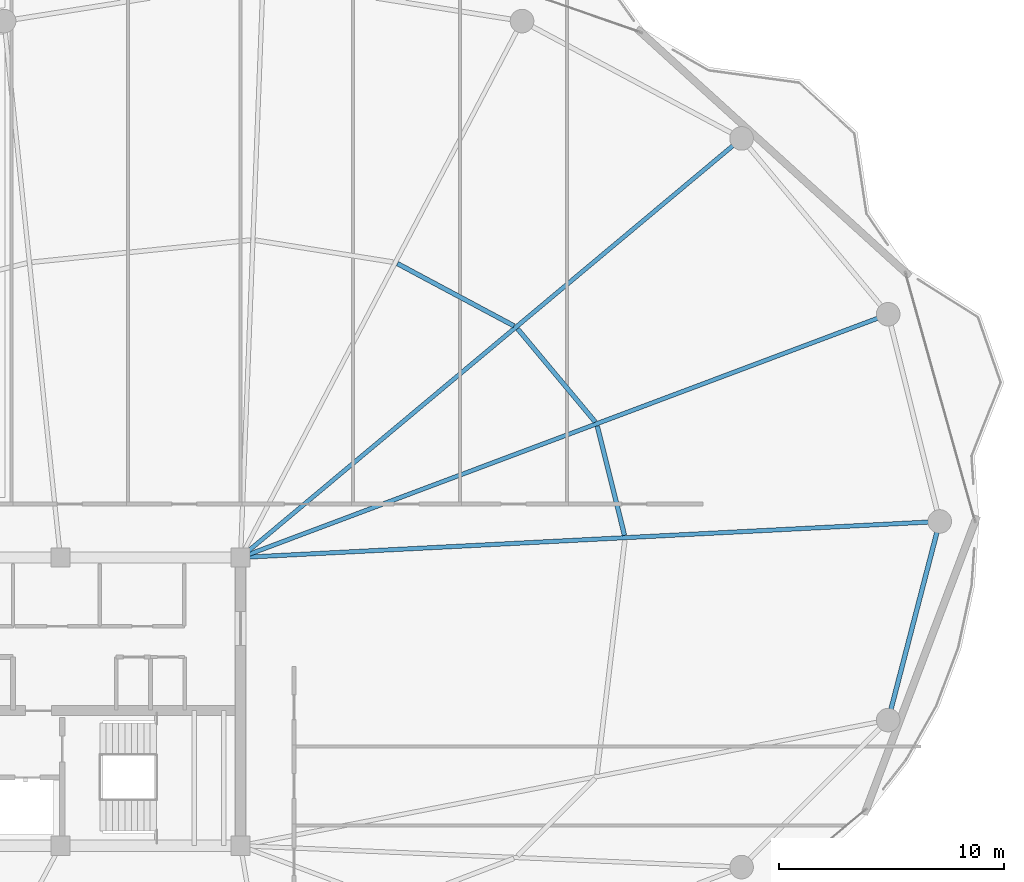
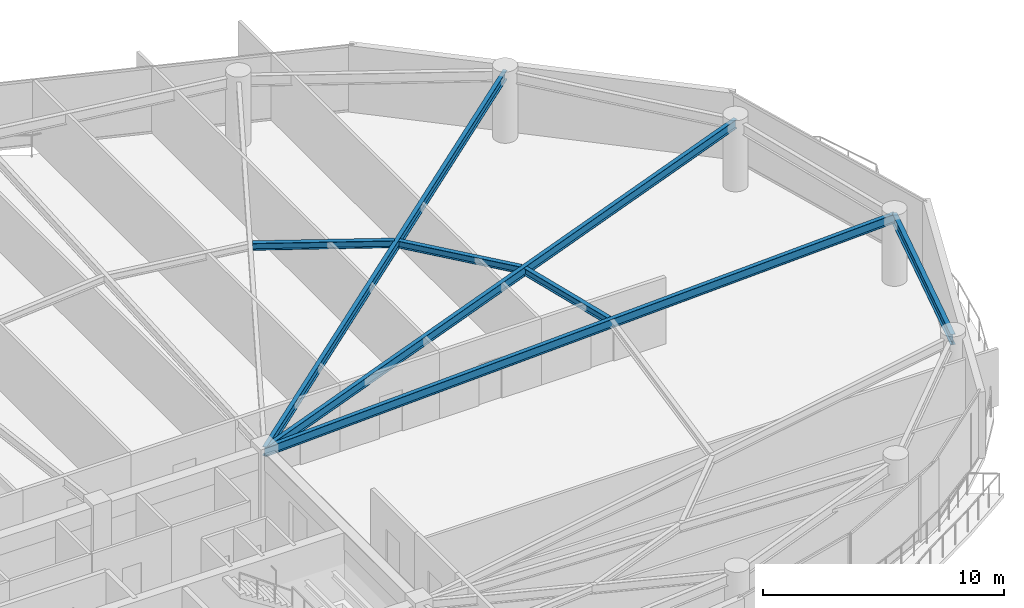
# One storey, part 14 of 28: 7 beams.
"""IFC4 building model written with IfcOpenShell, lengths in metres."""

from ifc_helpers import new_model, si_unit, direction, frame, origin, origin_2d, place, context, subcontext, project, spatial, i_section, extrude, material, material_profile, profile_set, type_object, element, save


model = new_model("IFC4")

# Units and contexts
model_context = context("Model", 3, precision=1e-05, world=origin(), true_north=direction((0.0, 1.0)))
body_context = subcontext(model_context, "Body", "Model", "MODEL_VIEW")
ifc_project = project(units=[si_unit("LENGTHUNIT", "METRE"), si_unit("AREAUNIT", "SQUARE_METRE"), si_unit("VOLUMEUNIT", "CUBIC_METRE"), si_unit("PLANEANGLEUNIT", "RADIAN"), si_unit("MASSUNIT", "GRAM", prefix="KILO")], contexts=[model_context])

# Site, building, storey
site_placement = place(None, origin())
site = spatial("IfcSite", under=ifc_project, at=site_placement, CompositionType="ELEMENT")
building_placement = place(site_placement, origin())
building = spatial("IfcBuilding", under=site, at=building_placement, Name="Kazevale Care Tower and Concert Hall", CompositionType="ELEMENT")
storey_placement = place(building_placement, frame((0.0, 0.0, 231.60009765625)))
storey = spatial("IfcBuildingStorey", under=building, at=storey_placement, Name="L61", CompositionType="ELEMENT", Elevation=231.60009765625)

# Beams
ifc_material = material(Name="Steel ASTM A572 Gr 50", Category="steel")
ifc_material_profile_1 = material_profile(ifc_material, i_section(OverallWidth=0.19091796875, OverallDepth=0.4599609375, WebThickness=0.010009765625, FlangeThickness=0.01611328125, at=origin_2d()), Name="W460x82")
ifc_profile_set_1 = profile_set([ifc_material_profile_1], Name="Steel ASTM A572 Gr 50")
beam_type_1 = type_object("IfcBeamType", Name="Radial Floor Beam W460x82", PredefinedType="BEAM", material=ifc_profile_set_1)
beam_1_placement = place(storey_placement, frame((44.0, 36.39990234375, 3.1298828125), z_axis=(0.998674821251, 0.051464564506, 0.0), x_axis=(-0.051464564506, 0.998674821251, 0.0)))
element("IfcBeam", 1, at=beam_1_placement, inside=storey, type_object=beam_type_1, Name="beam:L61:rad:01", PredefinedType="BEAM", context=body_context, shape_type="SweptSolid", body=[
    extrude(i_section(OverallWidth=0.19091796875, OverallDepth=0.4599609375, WebThickness=0.010009765625, FlangeThickness=0.01611328125, at=origin_2d()), origin(), (0.0, 0.0, 1.0), 31.09130859375),
])
beam_2_placement = place(storey_placement, frame((44.0, 36.39990234375, 3.1298828125), z_axis=(0.936168070124, 0.351552762015, 0.0), x_axis=(-0.351552762015, 0.936168070124, 0.0)))
element("IfcBeam", 2, at=beam_2_placement, inside=storey, type_object=beam_type_1, Name="beam:L61:rad:02", PredefinedType="BEAM", context=body_context, shape_type="SweptSolid", body=[
    extrude(i_section(OverallWidth=0.19091796875, OverallDepth=0.4599609375, WebThickness=0.010009765625, FlangeThickness=0.01611328125, at=origin_2d()), origin(), (0.0, 0.0, 1.0), 30.720947265625),
])
beam_3_placement = place(storey_placement, frame((44.0, 36.39990234375, 3.1298828125), z_axis=(0.767059624015, 0.64157582031, 0.0), x_axis=(-0.64157582031, 0.767059624015, 0.0)))
element("IfcBeam", 3, at=beam_3_placement, inside=storey, type_object=beam_type_1, Name="beam:L61:rad:03", PredefinedType="BEAM", context=body_context, shape_type="SweptSolid", body=[
    extrude(i_section(OverallWidth=0.19091796875, OverallDepth=0.4599609375, WebThickness=0.010009765625, FlangeThickness=0.01611328125, at=origin_2d()), origin(), (0.0, 0.0, 1.0), 29.0068359375),
])
ifc_material_profile_2 = material_profile(ifc_material, i_section(OverallWidth=0.205078125, OverallDepth=0.35400390625, WebThickness=0.009521484375, FlangeThickness=0.016845703125, at=origin_2d()), Name="W360x79")
ifc_profile_set_2 = profile_set([ifc_material_profile_2], Name="Steel ASTM A572 Gr 50")
beam_type_2 = type_object("IfcBeamType", Name="Secondary Floor Joist W360x79", PredefinedType="JOIST", material=ifc_profile_set_2)
beam_4_placement = place(storey_placement, frame((61.052001953125, 37.382080078125, 3.182861328125), z_axis=(-0.241594204931, 0.970377369967, 0.0), x_axis=(-0.970377369967, -0.241594204931, 0.0)))
element("IfcBeam", 4, at=beam_4_placement, inside=storey, type_object=beam_type_2, Name="beam:L61:joist:01", PredefinedType="JOIST", context=body_context, shape_type="SweptSolid", body=[
    extrude(i_section(OverallWidth=0.205078125, OverallDepth=0.35400390625, WebThickness=0.009521484375, FlangeThickness=0.016845703125, at=origin_2d()), origin(), (0.0, 0.0, 1.0), 5.004150390625),
])
beam_5_placement = place(storey_placement, frame((59.7509765625, 42.4208984375, 3.182861328125), z_axis=(-0.640295940788, 0.768128314939, 0.0), x_axis=(-0.768128314939, -0.640295940788, 0.0)))
element("IfcBeam", 5, at=beam_5_placement, inside=storey, type_object=beam_type_2, Name="beam:L61:joist:02", PredefinedType="JOIST", context=body_context, shape_type="SweptSolid", body=[
    extrude(i_section(OverallWidth=0.205078125, OverallDepth=0.35400390625, WebThickness=0.009521484375, FlangeThickness=0.016845703125, at=origin_2d()), origin(), (0.0, 0.0, 1.0), 5.3818359375),
])
beam_6_placement = place(storey_placement, frame((56.14501953125, 46.68505859375, 3.182861328125), z_axis=(-0.881943890935, 0.471354403016, 0.0), x_axis=(-0.471354403016, -0.881943890935, 0.0)))
element("IfcBeam", 6, at=beam_6_placement, inside=storey, type_object=beam_type_2, Name="beam:L61:joist:03", PredefinedType="JOIST", context=body_context, shape_type="SweptSolid", body=[
    extrude(i_section(OverallWidth=0.205078125, OverallDepth=0.35400390625, WebThickness=0.009521484375, FlangeThickness=0.016845703125, at=origin_2d()), origin(), (0.0, 0.0, 1.0), 5.869873046875),
])
ifc_material_profile_3 = material_profile(ifc_material, i_section(OverallWidth=0.208984375, OverallDepth=0.532958984375, WebThickness=0.01025390625, FlangeThickness=0.015625, at=origin_2d()), Name="W530x92")
ifc_profile_set_3 = profile_set([ifc_material_profile_3], Name="Steel ASTM A572 Gr 50")
beam_type_3 = type_object("IfcBeamType", Name="Upper Ring Beam W530x92", PredefinedType="BEAM", material=ifc_profile_set_3)
beam_7_placement = place(storey_placement, frame((72.760009765625, 29.179931640625, 3.093505859375), z_axis=(0.251307095899, 0.96790740443, 0.0), x_axis=(-0.96790740443, 0.251307095899, 0.0)))
element("IfcBeam", 7, at=beam_7_placement, inside=storey, type_object=beam_type_3, Name="beam:L61:ring:16", PredefinedType="BEAM", context=body_context, shape_type="SweptSolid", body=[
    extrude(i_section(OverallWidth=0.208984375, OverallDepth=0.532958984375, WebThickness=0.01025390625, FlangeThickness=0.015625, at=origin_2d()), origin(), (0.0, 0.0, 1.0), 9.112548828125),
])

save(model, "model.ifc")
